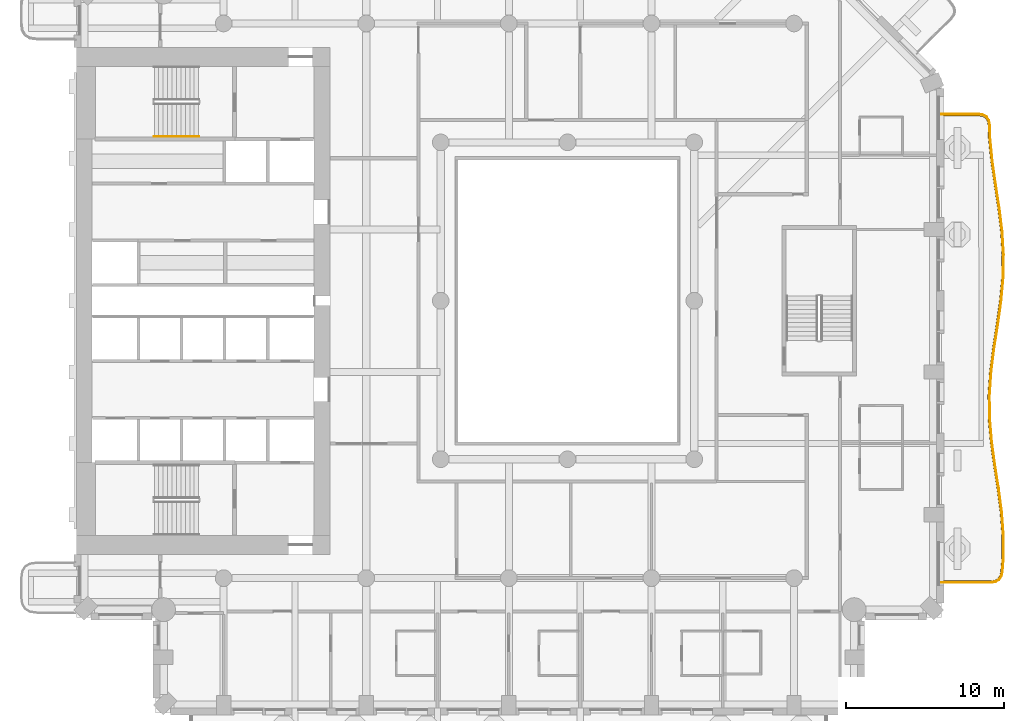
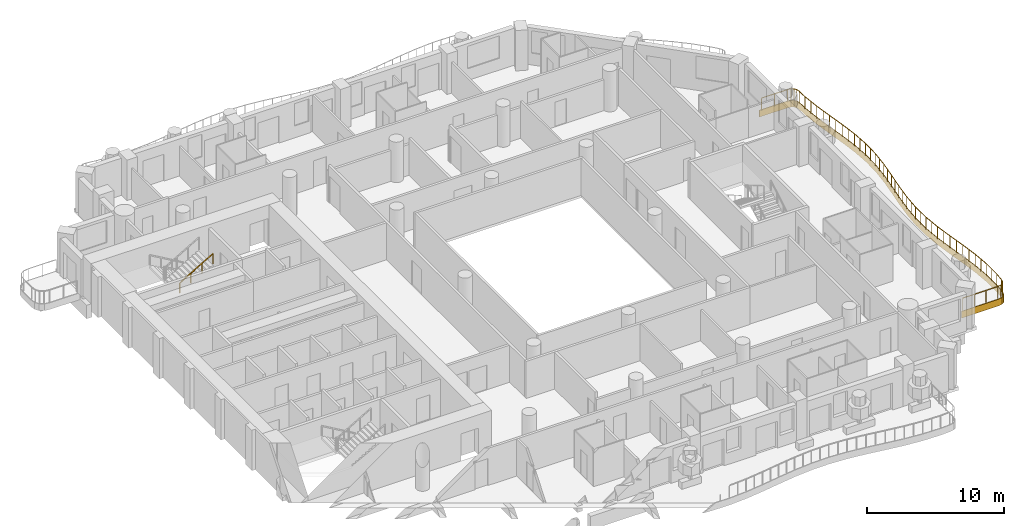
# One storey, part 15 of 19: 2 railings, 1 covering.
"""IFC4 building model written with IfcOpenShell, lengths in metres."""

from ifc_helpers import new_model, si_unit, direction, frame, origin, origin_2d, place, context, subcontext, project, spatial, polyline, rectangle, outline, extrude, material, layer, layer_set, type_object, element, save


model = new_model("IFC4")

# Units and contexts
model_context = context("Model", 3, precision=1e-05, world=origin(), true_north=direction((0.0, 1.0)))
body_context = subcontext(model_context, "Body", "Model", "MODEL_VIEW")
ifc_project = project(units=[si_unit("LENGTHUNIT", "METRE"), si_unit("AREAUNIT", "SQUARE_METRE"), si_unit("VOLUMEUNIT", "CUBIC_METRE"), si_unit("PLANEANGLEUNIT", "RADIAN"), si_unit("MASSUNIT", "GRAM", prefix="KILO")], contexts=[model_context])

# Site, building, storey
site_placement = place(None, origin())
site = spatial("IfcSite", under=ifc_project, at=site_placement, CompositionType="ELEMENT")
building_placement = place(site_placement, origin())
building = spatial("IfcBuilding", under=site, at=building_placement, Name="Cypress Arch Tower", CompositionType="ELEMENT")
storey_placement = place(building_placement, frame((0.0, 0.0, 138.300048828125)))
storey = spatial("IfcBuildingStorey", under=building, at=storey_placement, Name="L30", CompositionType="ELEMENT", Elevation=138.300048828125)

# Covering
ifc_material_1 = material(Name="White powder-coated aluminium fascia", Category="aluminium")
ifc_layer = layer(ifc_material_1, 0.050048828125)
ifc_layer_set = layer_set([ifc_layer], Name="Balcony fascia BF50")
covering_type = type_object("IfcCoveringType", Name="Balcony fascia BF50", PredefinedType="CLADDING", material=ifc_layer_set)
covering_placement = place(storey_placement, frame((0.0, 0.0, -0.60009765625)))
element("IfcCovering", 1, at=covering_placement, inside=storey, type_object=covering_type, Name="Balcony fascia L30-A06", PredefinedType="CLADDING", context=body_context, shape_type="SweptSolid", body=[
    extrude(outline(polyline([(26.941162109375, 11.800048828125), (27.24609375, 11.756591796875), (27.47607421875, 11.620849609375), (27.61767578125, 11.394775390625), (27.6689453125, 11.091064453125), (27.6904296875, 10.278076171875), (27.835205078125, 8.80615234375), (28.048583984375, 7.332275390625), (28.275390625, 5.85693359375), (28.456787109375, 4.379638671875), (28.545654296875, 2.901123046875), (28.5185546875, 1.42236328125), (28.3828125, -0.055908203125), (28.173828125, -1.5322265625), (27.945556640625, -3.007080078125), (27.757568359375, -4.479736328125), (27.658203125, -5.951416015625), (27.67333984375, -7.422607421875), (27.798583984375, -8.89453125), (28.001953125, -10.36767578125), (28.23095703125, -11.8427734375), (28.42626953125, -13.31982421875), (28.53662109375, -14.798095703125), (28.53369140625, -16.277099609375), (28.4697265625, -17.09375), (28.402587890625, -17.396728515625), (28.24951171875, -17.621826171875), (28.013427734375, -17.756591796875), (27.705810546875, -17.800048828125), (24.60107421875, -17.800048828125), (24.60107421875, -17.75), (27.702392578125, -17.75), (27.996826171875, -17.70849609375), (28.21484375, -17.583984375), (28.355712890625, -17.376708984375), (28.420166015625, -17.086181640625), (28.483642578125, -16.27490234375), (28.486572265625, -14.800048828125), (28.37646484375, -13.324951171875), (28.181640625, -11.85009765625), (27.95263671875, -10.375), (27.748779296875, -8.89990234375), (27.623291015625, -7.425048828125), (27.608154296875, -5.949951171875), (27.707763671875, -4.47509765625), (27.89599609375, -3.0), (28.124267578125, -1.52490234375), (28.333251953125, -0.050048828125), (28.46875, 1.425048828125), (28.49560546875, 2.89990234375), (28.406982421875, 4.375), (28.225830078125, 5.85009765625), (27.9990234375, 7.324951171875), (27.785400390625, 8.800048828125), (27.640625, 10.27490234375), (27.619140625, 11.086181640625), (27.570068359375, 11.376708984375), (27.440185546875, 11.583984375), (27.229248046875, 11.70849609375), (26.937744140625, 11.75), (24.60107421875, 11.75), (24.60107421875, 11.800048828125), (26.941162109375, 11.800048828125)])), origin(), (0.0, 0.0, 1.0), 0.60009765625),
])

# Railings
ifc_material_2 = material(Name="Powder-coated steel posts and rods, 100 mm clear between rods", Category="steel")
railing_type_1 = type_object("IfcRailingType", Name="Balcony guard GR1100", PredefinedType="GUARDRAIL", material=ifc_material_2)
railing_1_placement = place(storey_placement, frame((24.75, 11.699951171875, 0.0)))
element("IfcRailing", 2, at=railing_1_placement, inside=storey, type_object=railing_type_1, Name="Balcony guard L30-A06", PredefinedType="GUARDRAIL", context=body_context, shape_type="SweptSolid", body=[
    extrude(rectangle(XDim=0.050048828125, YDim=0.050048828125, at=origin_2d()), frame((0.0, 0.0, 1.0751953125), z_axis=(1.0, 0.0, 0.0), x_axis=(0.0, 1.0, 0.0)), (0.0, 0.0, 1.0), 2.18408203125),
    extrude(rectangle(XDim=0.050048828125, YDim=0.050048828125, at=origin_2d()), frame((2.18408203125, 0.0, 1.0751953125), z_axis=(0.990053441017, -0.140691804776, 0.0), x_axis=(0.140691804776, 0.990053441017, 0.0)), (0.0, 0.0, 1.0), 0.281005859375),
    extrude(rectangle(XDim=0.050048828125, YDim=0.050048828125, at=origin_2d()), frame((2.46240234375, -0.03955078125, 1.0751953125), z_axis=(0.86114456316, -0.508360149245, 0.0), x_axis=(0.508360149245, 0.86114456316, 0.0)), (0.0, 0.0, 1.0), 0.222900390625),
    extrude(rectangle(XDim=0.050048828125, YDim=0.050048828125, at=origin_2d()), frame((2.654296875, -0.15283203125, 1.0751953125), z_axis=(0.53068867466, -0.84756682957, 0.0), x_axis=(0.84756682957, 0.53068867466, 0.0)), (0.0, 0.0, 1.0), 0.22265625),
    extrude(rectangle(XDim=0.050048828125, YDim=0.050048828125, at=origin_2d()), frame((2.7724609375, -0.341552734375, 1.0751953125), z_axis=(0.166793339577, -0.985991877184, 0.0), x_axis=(0.985991877184, 0.166793339577, 0.0)), (0.0, 0.0, 1.0), 0.281005859375),
    extrude(rectangle(XDim=0.050048828125, YDim=0.050048828125, at=origin_2d()), frame((2.8193359375, -0.61865234375, 1.0751953125), z_axis=(0.026235310457, -0.999655795004, 0.0), x_axis=(0.999655795004, 0.026235310457, 0.0)), (0.0, 0.0, 1.0), 0.8095703125),
    extrude(rectangle(XDim=0.050048828125, YDim=0.050048828125, at=origin_2d()), frame((2.840576171875, -1.427978515625, 1.0751953125), z_axis=(0.097810866807, -0.995205021257, 0.0), x_axis=(0.995205021257, 0.097810866807, 0.0)), (0.0, 0.0, 1.0), 1.485107421875),
    extrude(rectangle(XDim=0.050048828125, YDim=0.050048828125, at=origin_2d()), frame((2.98583984375, -2.906005859375, 1.0751953125), z_axis=(0.143368670657, -0.989669350983, 0.0), x_axis=(0.989669350983, 0.143368670657, 0.0)), (0.0, 0.0, 1.0), 1.49169921875),
    extrude(rectangle(XDim=0.050048828125, YDim=0.050048828125, at=origin_2d()), frame((3.19970703125, -4.38232421875, 1.0751953125), z_axis=(0.151884998186, -0.988398172462, 0.0), x_axis=(0.988398172462, 0.151884998186, 0.0)), (0.0, 0.0, 1.0), 1.49169921875),
    extrude(rectangle(XDim=0.050048828125, YDim=0.050048828125, at=origin_2d()), frame((3.42626953125, -5.856689453125, 1.0751953125), z_axis=(0.121908361967, -0.992541359986, 0.0), x_axis=(0.992541359986, 0.121908361967, 0.0)), (0.0, 0.0, 1.0), 1.48388671875),
    extrude(rectangle(XDim=0.050048828125, YDim=0.050048828125, at=origin_2d()), frame((3.607177734375, -7.32958984375, 1.0751953125), z_axis=(0.059955001041, -0.99820108087, 0.0), x_axis=(0.99820108087, 0.059955001041, 0.0)), (0.0, 0.0, 1.0), 1.47412109375),
    extrude(rectangle(XDim=0.050048828125, YDim=0.050048828125, at=origin_2d()), frame((3.695556640625, -8.801025390625, 1.0751953125), z_axis=(-0.018251191113, -0.999833433139, 0.0), x_axis=(0.999833433139, -0.018251191113, 0.0)), (0.0, 0.0, 1.0), 1.471435546875),
    extrude(rectangle(XDim=0.050048828125, YDim=0.050048828125, at=origin_2d()), frame((3.668701171875, -10.272216796875, 1.0751953125), z_axis=(-0.091503702734, -0.995804736073, 0.0), x_axis=(0.995804736073, -0.091503702734, 0.0)), (0.0, 0.0, 1.0), 1.47802734375),
    extrude(rectangle(XDim=0.050048828125, YDim=0.050048828125, at=origin_2d()), frame((3.533447265625, -11.744140625, 1.0751953125), z_axis=(-0.140272828559, -0.990112889305, 0.0), x_axis=(0.990112889305, -0.140272828559, 0.0)), (0.0, 0.0, 1.0), 1.488037109375),
    extrude(rectangle(XDim=0.050048828125, YDim=0.050048828125, at=origin_2d()), frame((3.32470703125, -13.217529296875, 1.0751953125), z_axis=(-0.152745334218, -0.988265583168, 0.0), x_axis=(0.988265583168, -0.152745334218, 0.0)), (0.0, 0.0, 1.0), 1.492919921875),
    extrude(rectangle(XDim=0.050048828125, YDim=0.050048828125, at=origin_2d()), frame((3.0966796875, -14.69287109375, 1.0751953125), z_axis=(-0.126717684698, -0.991938822904, 0.0), x_axis=(0.991938822904, -0.126717684698, 0.0)), (0.0, 0.0, 1.0), 1.4892578125),
    extrude(rectangle(XDim=0.050048828125, YDim=0.050048828125, at=origin_2d()), frame((2.907958984375, -16.170166015625, 1.0751953125), z_axis=(-0.067229876971, -0.997737512396, 0.0), x_axis=(0.997737512396, -0.067229876971, 0.0)), (0.0, 0.0, 1.0), 1.481689453125),
    extrude(rectangle(XDim=0.050048828125, YDim=0.050048828125, at=origin_2d()), frame((2.808349609375, -17.6484375, 1.0751953125), z_axis=(0.010068819379, -0.999949308153, 0.0), x_axis=(0.999949308153, 0.010068819379, 0.0)), (0.0, 0.0, 1.0), 1.47900390625),
    extrude(rectangle(XDim=0.050048828125, YDim=0.050048828125, at=origin_2d()), frame((2.8232421875, -19.12744140625, 1.0751953125), z_axis=(0.084924987016, -0.996387347662, 0.0), x_axis=(0.996387347662, 0.084924987016, 0.0)), (0.0, 0.0, 1.0), 1.4833984375),
    extrude(rectangle(XDim=0.050048828125, YDim=0.050048828125, at=origin_2d()), frame((2.94921875, -20.60546875, 1.0751953125), z_axis=(0.136742686677, -0.990606600846, 0.0), x_axis=(0.990606600846, 0.136742686677, 0.0)), (0.0, 0.0, 1.0), 1.49072265625),
    extrude(rectangle(XDim=0.050048828125, YDim=0.050048828125, at=origin_2d()), frame((3.153076171875, -22.082275390625, 1.0751953125), z_axis=(0.153433717504, -0.988158941837, 0.0), x_axis=(0.988158941837, 0.153433717504, 0.0)), (0.0, 0.0, 1.0), 1.492431640625),
    extrude(rectangle(XDim=0.050048828125, YDim=0.050048828125, at=origin_2d()), frame((3.382080078125, -23.55712890625, 1.0751953125), z_axis=(0.130968842761, -0.991386484791, 0.0), x_axis=(0.991386484791, 0.130968842761, 0.0)), (0.0, 0.0, 1.0), 1.485595703125),
    extrude(rectangle(XDim=0.050048828125, YDim=0.050048828125, at=origin_2d()), frame((3.57666015625, -25.030029296875, 1.0751953125), z_axis=(0.07444447942, -0.997225159873, 0.0), x_axis=(0.997225159873, 0.07444447942, 0.0)), (0.0, 0.0, 1.0), 1.475830078125),
    extrude(rectangle(XDim=0.050048828125, YDim=0.050048828125, at=origin_2d()), frame((3.6865234375, -26.501708984375, 1.0751953125), z_axis=(-0.001991366778, -0.999998017227, 0.0), x_axis=(0.999998017227, -0.001991366778, 0.0)), (0.0, 0.0, 1.0), 1.47119140625),
    extrude(rectangle(XDim=0.050048828125, YDim=0.050048828125, at=origin_2d()), frame((3.68359375, -27.972900390625, 1.0751953125), z_axis=(-0.077920500013, -0.996959575749, 0.0), x_axis=(0.996959575749, -0.077920500013, 0.0)), (0.0, 0.0, 1.0), 0.808349609375),
    extrude(rectangle(XDim=0.050048828125, YDim=0.050048828125, at=origin_2d()), frame((3.62060546875, -28.77880859375, 1.0751953125), z_axis=(-0.216384915757, -0.976308131807, 0.0), x_axis=(0.976308131807, -0.216384915757, 0.0)), (0.0, 0.0, 1.0), 0.284423828125),
    extrude(rectangle(XDim=0.050048828125, YDim=0.050048828125, at=origin_2d()), frame((3.55908203125, -29.056396484375, 1.0751953125), z_axis=(-0.562280947949, -0.826946271274, 0.0), x_axis=(0.826946271274, -0.562280947949, 0.0)), (0.0, 0.0, 1.0), 0.229736328125),
    extrude(rectangle(XDim=0.050048828125, YDim=0.050048828125, at=origin_2d()), frame((3.429931640625, -29.246337890625, 1.0751953125), z_axis=(-0.868177741287, -0.496253372315, 0.0), x_axis=(0.496253372315, -0.868177741287, 0.0)), (0.0, 0.0, 1.0), 0.229736328125),
    extrude(rectangle(XDim=0.050048828125, YDim=0.050048828125, at=origin_2d()), frame((3.23046875, -29.3603515625, 1.0751953125), z_axis=(-0.990273226818, -0.139136394401, 0.0), x_axis=(0.139136394401, -0.990273226818, 0.0)), (0.0, 0.0, 1.0), 0.2841796875),
    extrude(rectangle(XDim=0.050048828125, YDim=0.050048828125, at=origin_2d()), frame((2.948974609375, -29.39990234375, 1.0751953125), z_axis=(-1.0, 0.0, 0.0), x_axis=(0.0, -1.0, 0.0)), (0.0, 0.0, 1.0), 2.948974609375),
    extrude(rectangle(XDim=0.0400390625, YDim=0.0400390625, at=origin_2d()), origin(), (0.0, 0.0, 1.0), 1.050048828125),
    extrude(rectangle(XDim=0.0400390625, YDim=0.0400390625, at=origin_2d()), frame((1.092041015625, 0.0, 0.0)), (0.0, 0.0, 1.0), 1.050048828125),
    extrude(rectangle(XDim=0.0400390625, YDim=0.0400390625, at=origin_2d()), frame((2.18408203125, 0.0, 0.0)), (0.0, 0.0, 1.0), 1.050048828125),
    extrude(rectangle(XDim=0.0400390625, YDim=0.0400390625, at=origin_2d()), frame((2.46240234375, -0.03955078125, 0.0)), (0.0, 0.0, 1.0), 1.050048828125),
    extrude(rectangle(XDim=0.0400390625, YDim=0.0400390625, at=origin_2d()), frame((2.654296875, -0.15283203125, 0.0)), (0.0, 0.0, 1.0), 1.050048828125),
    extrude(rectangle(XDim=0.0400390625, YDim=0.0400390625, at=origin_2d()), frame((2.7724609375, -0.341552734375, 0.0)), (0.0, 0.0, 1.0), 1.050048828125),
    extrude(rectangle(XDim=0.0400390625, YDim=0.0400390625, at=origin_2d()), frame((2.8193359375, -0.61865234375, 0.0)), (0.0, 0.0, 1.0), 1.050048828125),
    extrude(rectangle(XDim=0.0400390625, YDim=0.0400390625, at=origin_2d()), frame((2.840576171875, -1.427978515625, 0.0)), (0.0, 0.0, 1.0), 1.050048828125),
    extrude(rectangle(XDim=0.0400390625, YDim=0.0400390625, at=origin_2d()), frame((2.9130859375, -2.1669921875, 0.0)), (0.0, 0.0, 1.0), 1.050048828125),
    extrude(rectangle(XDim=0.0400390625, YDim=0.0400390625, at=origin_2d()), frame((2.98583984375, -2.906005859375, 0.0)), (0.0, 0.0, 1.0), 1.050048828125),
    extrude(rectangle(XDim=0.0400390625, YDim=0.0400390625, at=origin_2d()), frame((3.0927734375, -3.64404296875, 0.0)), (0.0, 0.0, 1.0), 1.050048828125),
    extrude(rectangle(XDim=0.0400390625, YDim=0.0400390625, at=origin_2d()), frame((3.19970703125, -4.38232421875, 0.0)), (0.0, 0.0, 1.0), 1.050048828125),
    extrude(rectangle(XDim=0.0400390625, YDim=0.0400390625, at=origin_2d()), frame((3.31298828125, -5.11962890625, 0.0)), (0.0, 0.0, 1.0), 1.050048828125),
    extrude(rectangle(XDim=0.0400390625, YDim=0.0400390625, at=origin_2d()), frame((3.42626953125, -5.856689453125, 0.0)), (0.0, 0.0, 1.0), 1.050048828125),
    extrude(rectangle(XDim=0.0400390625, YDim=0.0400390625, at=origin_2d()), frame((3.5166015625, -6.59326171875, 0.0)), (0.0, 0.0, 1.0), 1.050048828125),
    extrude(rectangle(XDim=0.0400390625, YDim=0.0400390625, at=origin_2d()), frame((3.607177734375, -7.32958984375, 0.0)), (0.0, 0.0, 1.0), 1.050048828125),
    extrude(rectangle(XDim=0.0400390625, YDim=0.0400390625, at=origin_2d()), frame((3.6513671875, -8.0654296875, 0.0)), (0.0, 0.0, 1.0), 1.050048828125),
    extrude(rectangle(XDim=0.0400390625, YDim=0.0400390625, at=origin_2d()), frame((3.695556640625, -8.801025390625, 0.0)), (0.0, 0.0, 1.0), 1.050048828125),
    extrude(rectangle(XDim=0.0400390625, YDim=0.0400390625, at=origin_2d()), frame((3.68212890625, -9.53662109375, 0.0)), (0.0, 0.0, 1.0), 1.050048828125),
    extrude(rectangle(XDim=0.0400390625, YDim=0.0400390625, at=origin_2d()), frame((3.668701171875, -10.272216796875, 0.0)), (0.0, 0.0, 1.0), 1.050048828125),
    extrude(rectangle(XDim=0.0400390625, YDim=0.0400390625, at=origin_2d()), frame((3.60107421875, -11.00830078125, 0.0)), (0.0, 0.0, 1.0), 1.050048828125),
    extrude(rectangle(XDim=0.0400390625, YDim=0.0400390625, at=origin_2d()), frame((3.533447265625, -11.744140625, 0.0)), (0.0, 0.0, 1.0), 1.050048828125),
    extrude(rectangle(XDim=0.0400390625, YDim=0.0400390625, at=origin_2d()), frame((3.42919921875, -12.48095703125, 0.0)), (0.0, 0.0, 1.0), 1.050048828125),
    extrude(rectangle(XDim=0.0400390625, YDim=0.0400390625, at=origin_2d()), frame((3.32470703125, -13.217529296875, 0.0)), (0.0, 0.0, 1.0), 1.050048828125),
    extrude(rectangle(XDim=0.0400390625, YDim=0.0400390625, at=origin_2d()), frame((3.210693359375, -13.955078125, 0.0)), (0.0, 0.0, 1.0), 1.050048828125),
    extrude(rectangle(XDim=0.0400390625, YDim=0.0400390625, at=origin_2d()), frame((3.0966796875, -14.69287109375, 0.0)), (0.0, 0.0, 1.0), 1.050048828125),
    extrude(rectangle(XDim=0.0400390625, YDim=0.0400390625, at=origin_2d()), frame((3.00244140625, -15.431640625, 0.0)), (0.0, 0.0, 1.0), 1.050048828125),
    extrude(rectangle(XDim=0.0400390625, YDim=0.0400390625, at=origin_2d()), frame((2.907958984375, -16.170166015625, 0.0)), (0.0, 0.0, 1.0), 1.050048828125),
    extrude(rectangle(XDim=0.0400390625, YDim=0.0400390625, at=origin_2d()), frame((2.858154296875, -16.9091796875, 0.0)), (0.0, 0.0, 1.0), 1.050048828125),
    extrude(rectangle(XDim=0.0400390625, YDim=0.0400390625, at=origin_2d()), frame((2.808349609375, -17.6484375, 0.0)), (0.0, 0.0, 1.0), 1.050048828125),
    extrude(rectangle(XDim=0.0400390625, YDim=0.0400390625, at=origin_2d()), frame((2.81591796875, -18.387939453125, 0.0)), (0.0, 0.0, 1.0), 1.050048828125),
    extrude(rectangle(XDim=0.0400390625, YDim=0.0400390625, at=origin_2d()), frame((2.8232421875, -19.12744140625, 0.0)), (0.0, 0.0, 1.0), 1.050048828125),
    extrude(rectangle(XDim=0.0400390625, YDim=0.0400390625, at=origin_2d()), frame((2.88623046875, -19.866455078125, 0.0)), (0.0, 0.0, 1.0), 1.050048828125),
    extrude(rectangle(XDim=0.0400390625, YDim=0.0400390625, at=origin_2d()), frame((2.94921875, -20.60546875, 0.0)), (0.0, 0.0, 1.0), 1.050048828125),
    extrude(rectangle(XDim=0.0400390625, YDim=0.0400390625, at=origin_2d()), frame((3.05126953125, -21.34375, 0.0)), (0.0, 0.0, 1.0), 1.050048828125),
    extrude(rectangle(XDim=0.0400390625, YDim=0.0400390625, at=origin_2d()), frame((3.153076171875, -22.082275390625, 0.0)), (0.0, 0.0, 1.0), 1.050048828125),
    extrude(rectangle(XDim=0.0400390625, YDim=0.0400390625, at=origin_2d()), frame((3.267578125, -22.81982421875, 0.0)), (0.0, 0.0, 1.0), 1.050048828125),
    extrude(rectangle(XDim=0.0400390625, YDim=0.0400390625, at=origin_2d()), frame((3.382080078125, -23.55712890625, 0.0)), (0.0, 0.0, 1.0), 1.050048828125),
    extrude(rectangle(XDim=0.0400390625, YDim=0.0400390625, at=origin_2d()), frame((3.4794921875, -24.29345703125, 0.0)), (0.0, 0.0, 1.0), 1.050048828125),
    extrude(rectangle(XDim=0.0400390625, YDim=0.0400390625, at=origin_2d()), frame((3.57666015625, -25.030029296875, 0.0)), (0.0, 0.0, 1.0), 1.050048828125),
    extrude(rectangle(XDim=0.0400390625, YDim=0.0400390625, at=origin_2d()), frame((3.631591796875, -25.765869140625, 0.0)), (0.0, 0.0, 1.0), 1.050048828125),
    extrude(rectangle(XDim=0.0400390625, YDim=0.0400390625, at=origin_2d()), frame((3.6865234375, -26.501708984375, 0.0)), (0.0, 0.0, 1.0), 1.050048828125),
    extrude(rectangle(XDim=0.0400390625, YDim=0.0400390625, at=origin_2d()), frame((3.68505859375, -27.2373046875, 0.0)), (0.0, 0.0, 1.0), 1.050048828125),
    extrude(rectangle(XDim=0.0400390625, YDim=0.0400390625, at=origin_2d()), frame((3.68359375, -27.972900390625, 0.0)), (0.0, 0.0, 1.0), 1.050048828125),
    extrude(rectangle(XDim=0.0400390625, YDim=0.0400390625, at=origin_2d()), frame((3.62060546875, -28.77880859375, 0.0)), (0.0, 0.0, 1.0), 1.050048828125),
    extrude(rectangle(XDim=0.0400390625, YDim=0.0400390625, at=origin_2d()), frame((3.55908203125, -29.056396484375, 0.0)), (0.0, 0.0, 1.0), 1.050048828125),
    extrude(rectangle(XDim=0.0400390625, YDim=0.0400390625, at=origin_2d()), frame((3.429931640625, -29.246337890625, 0.0)), (0.0, 0.0, 1.0), 1.050048828125),
    extrude(rectangle(XDim=0.0400390625, YDim=0.0400390625, at=origin_2d()), frame((3.23046875, -29.3603515625, 0.0)), (0.0, 0.0, 1.0), 1.050048828125),
    extrude(rectangle(XDim=0.0400390625, YDim=0.0400390625, at=origin_2d()), frame((2.948974609375, -29.39990234375, 0.0)), (0.0, 0.0, 1.0), 1.050048828125),
    extrude(rectangle(XDim=0.0400390625, YDim=0.0400390625, at=origin_2d()), frame((1.966064453125, -29.39990234375, 0.0)), (0.0, 0.0, 1.0), 1.050048828125),
    extrude(rectangle(XDim=0.0400390625, YDim=0.0400390625, at=origin_2d()), frame((0.98291015625, -29.39990234375, 0.0)), (0.0, 0.0, 1.0), 1.050048828125),
    extrude(rectangle(XDim=0.0400390625, YDim=0.0400390625, at=origin_2d()), frame((0.0, -29.39990234375, 0.0)), (0.0, 0.0, 1.0), 1.050048828125),
])
ifc_material_3 = material(Name="Black powder-coated steel square bar 48 mm", Category="steel")
railing_type_2 = type_object("IfcRailingType", Name="Stair handrail HR1", PredefinedType="HANDRAIL", material=ifc_material_3)
railing_2_placement = place(storey_placement, frame((-25.074951171875, 10.375, 1.963623046875)))
element("IfcRailing", 3, at=railing_2_placement, inside=storey, type_object=railing_type_2, Name="L30 B stair handrail 2", PredefinedType="HANDRAIL", context=body_context, shape_type="SweptSolid", body=[
    extrude(rectangle(XDim=0.048095703125, YDim=0.048095703125, at=origin_2d()), frame((0.0, 0.0, 0.8759765625), z_axis=(0.863393664356, 0.0, 0.504530851732), x_axis=(0.0, 1.0, 0.0)), (0.0, 0.0, 1.0), 3.2431640625),
    extrude(rectangle(XDim=0.0419921875, YDim=0.0419921875, at=origin_2d()), origin(), (0.0, 0.0, 1.0), 0.851806640625),
    extrude(rectangle(XDim=0.0419921875, YDim=0.0419921875, at=origin_2d()), frame((0.933349609375, 0.0, 0.54541015625)), (0.0, 0.0, 1.0), 0.851806640625),
    extrude(rectangle(XDim=0.0419921875, YDim=0.0419921875, at=origin_2d()), frame((1.86669921875, 0.0, 1.0908203125)), (0.0, 0.0, 1.0), 0.851806640625),
    extrude(rectangle(XDim=0.0419921875, YDim=0.0419921875, at=origin_2d()), frame((2.800048828125, 0.0, 1.63623046875)), (0.0, 0.0, 1.0), 0.851806640625),
])

save(model, "model.ifc")
